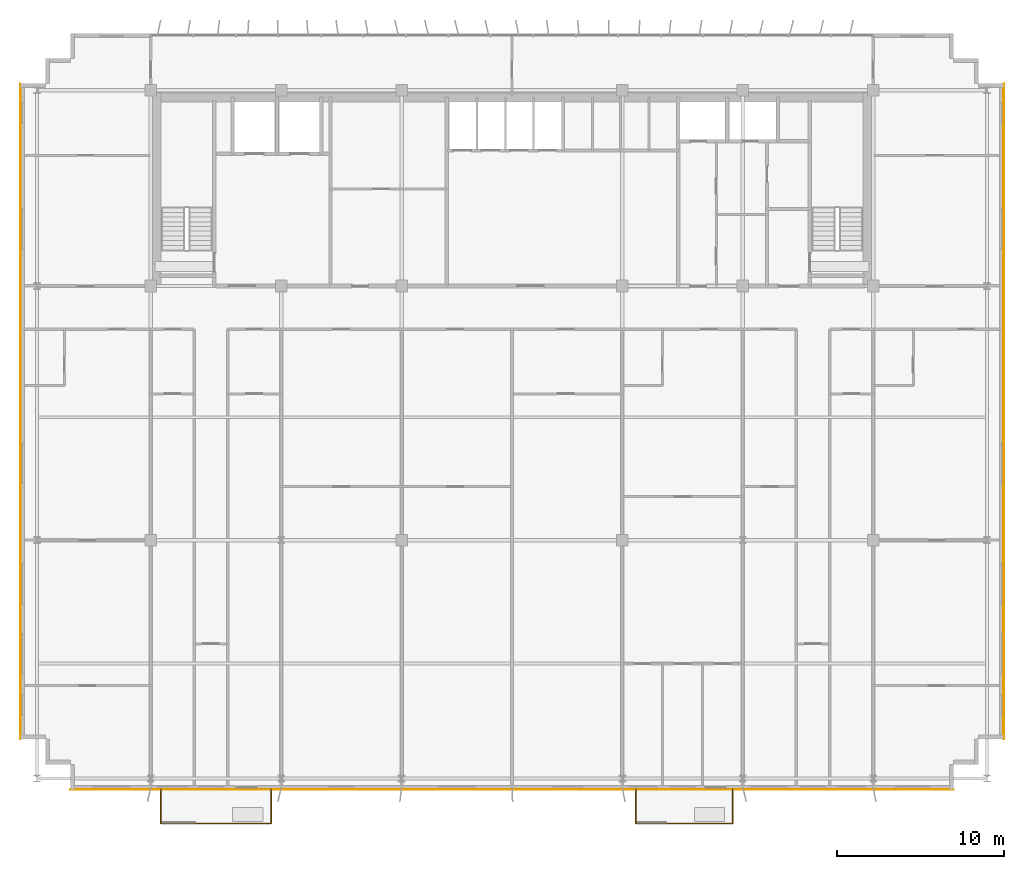
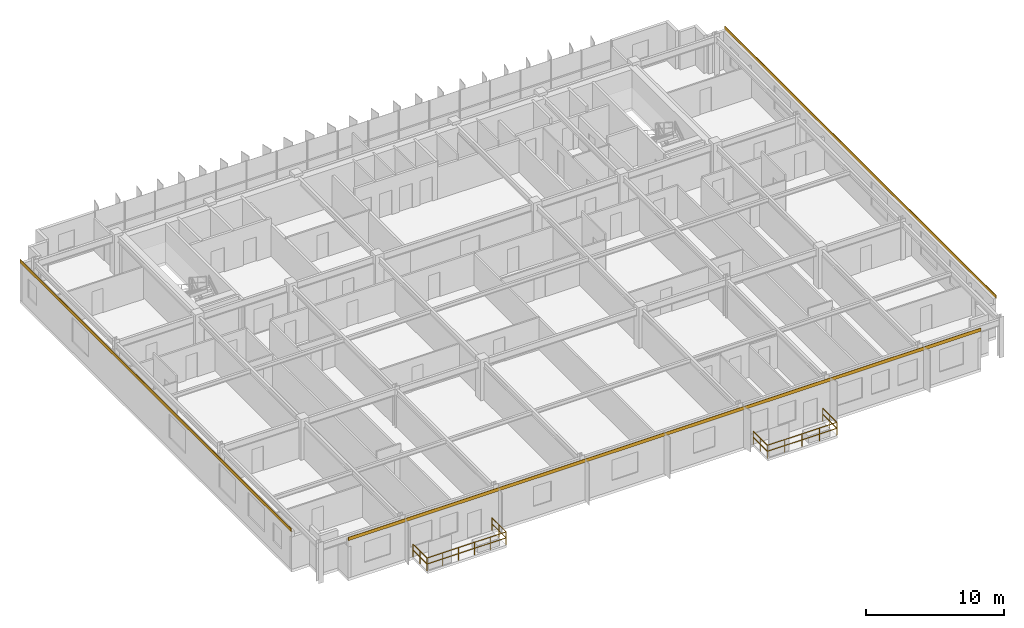
# One storey, part 19 of 20: 6 railings, 3 coverings.
"""IFC4 building model written with IfcOpenShell, lengths in metres."""

from ifc_helpers import new_model, si_unit, direction, frame, origin, origin_2d, place, context, subcontext, project, spatial, rectangle, extrude, source, transform, mapped, material, layer, layer_set, type_object, element, save


model = new_model("IFC4")

# Units and contexts
model_context = context("Model", 3, precision=1e-05, world=origin(), true_north=direction((0.0, 1.0)))
body_context = subcontext(model_context, "Body", "Model", "MODEL_VIEW")
ifc_project = project(units=[si_unit("LENGTHUNIT", "METRE"), si_unit("AREAUNIT", "SQUARE_METRE"), si_unit("VOLUMEUNIT", "CUBIC_METRE"), si_unit("PLANEANGLEUNIT", "RADIAN"), si_unit("MASSUNIT", "GRAM", prefix="KILO")], contexts=[model_context])

# Site, building, storey
site_placement = place(None, origin())
site = spatial("IfcSite", under=ifc_project, at=site_placement, CompositionType="ELEMENT")
building_placement = place(site_placement, origin())
building = spatial("IfcBuilding", under=site, at=building_placement, Name="Trelvane Seafront Commons", CompositionType="ELEMENT")
storey_placement = place(building_placement, frame((0.0, 0.0, 164.5)))
storey = spatial("IfcBuildingStorey", under=building, at=storey_placement, Name="L43", CompositionType="ELEMENT", Elevation=164.5)

# Railings
ifc_material_1 = material(Name="Stainless steel balustrade", Category="steel")
railing_type = type_object("IfcRailingType", Name="ARCH-RAIL-BAL1150", PredefinedType="BALUSTRADE", material=ifc_material_1)
railing_1_placement = place(storey_placement, frame((16.199951171875, 3.300048828125, 0.0)))
element("IfcRailing", 1, at=railing_1_placement, inside=storey, type_object=railing_type, Name="RL-L43-BAL0-01", PredefinedType="BALUSTRADE", context=body_context, shape_type="SweptSolid", body=[
    extrude(rectangle(XDim=0.048095703125, YDim=0.048095703125, at=origin_2d()), frame((0.0, 0.0, 1.1259765625), z_axis=(0.0, -1.0, 0.0), x_axis=(1.0, 0.0, 0.0)), (0.0, 0.0, 1.0), 2.0400390625),
    extrude(rectangle(XDim=0.048095703125, YDim=0.048095703125, at=origin_2d()), frame((0.0, 0.0, 0.597900390625), z_axis=(0.0, -1.0, 0.0), x_axis=(1.0, 0.0, 0.0)), (0.0, 0.0, 1.0), 2.0400390625),
    extrude(rectangle(XDim=0.0419921875, YDim=0.0419921875, at=origin_2d()), origin(), (0.0, 0.0, 1.0), 1.1259765625),
    extrude(rectangle(XDim=0.0419921875, YDim=0.0419921875, at=origin_2d()), frame((0.0, -1.02001953125, 0.0)), (0.0, 0.0, 1.0), 1.1259765625),
    extrude(rectangle(XDim=0.0419921875, YDim=0.0419921875, at=origin_2d()), frame((0.0, -2.0400390625, 0.0)), (0.0, 0.0, 1.0), 1.1259765625),
])
railing_2_placement = place(storey_placement, frame((16.199951171875, 1.260009765625, 0.0)))
element("IfcRailing", 2, at=railing_2_placement, inside=storey, type_object=railing_type, Name="RL-L43-BAL0-02", PredefinedType="BALUSTRADE", context=body_context, shape_type="SweptSolid", body=[
    extrude(rectangle(XDim=0.048095703125, YDim=0.048095703125, at=origin_2d()), frame((0.0, 0.0, 1.1259765625), z_axis=(1.0, 0.0, 0.0), x_axis=(0.0, 1.0, 0.0)), (0.0, 0.0, 1.0), 6.60009765625),
    extrude(rectangle(XDim=0.048095703125, YDim=0.048095703125, at=origin_2d()), frame((0.0, 0.0, 0.597900390625), z_axis=(1.0, 0.0, 0.0), x_axis=(0.0, 1.0, 0.0)), (0.0, 0.0, 1.0), 6.60009765625),
    extrude(rectangle(XDim=0.0419921875, YDim=0.0419921875, at=origin_2d()), origin(), (0.0, 0.0, 1.0), 1.1259765625),
    extrude(rectangle(XDim=0.0419921875, YDim=0.0419921875, at=origin_2d()), frame((1.320068359375, 0.0, 0.0)), (0.0, 0.0, 1.0), 1.1259765625),
    extrude(rectangle(XDim=0.0419921875, YDim=0.0419921875, at=origin_2d()), frame((2.64013671875, 0.0, 0.0)), (0.0, 0.0, 1.0), 1.1259765625),
    extrude(rectangle(XDim=0.0419921875, YDim=0.0419921875, at=origin_2d()), frame((3.9599609375, 0.0, 0.0)), (0.0, 0.0, 1.0), 1.1259765625),
    extrude(rectangle(XDim=0.0419921875, YDim=0.0419921875, at=origin_2d()), frame((5.280029296875, 0.0, 0.0)), (0.0, 0.0, 1.0), 1.1259765625),
    extrude(rectangle(XDim=0.0419921875, YDim=0.0419921875, at=origin_2d()), frame((6.60009765625, 0.0, 0.0)), (0.0, 0.0, 1.0), 1.1259765625),
])
railing_3_placement = place(storey_placement, frame((22.800048828125, 1.260009765625, 0.0)))
element("IfcRailing", 3, at=railing_3_placement, inside=storey, type_object=railing_type, Name="RL-L43-BAL0-03", PredefinedType="BALUSTRADE", context=body_context, shape_type="SweptSolid", body=[
    extrude(rectangle(XDim=0.048095703125, YDim=0.048095703125, at=origin_2d()), frame((0.0, 0.0, 1.1259765625), z_axis=(0.0, 1.0, 0.0), x_axis=(-1.0, 0.0, 0.0)), (0.0, 0.0, 1.0), 2.0400390625),
    extrude(rectangle(XDim=0.048095703125, YDim=0.048095703125, at=origin_2d()), frame((0.0, 0.0, 0.597900390625), z_axis=(0.0, 1.0, 0.0), x_axis=(-1.0, 0.0, 0.0)), (0.0, 0.0, 1.0), 2.0400390625),
    extrude(rectangle(XDim=0.0419921875, YDim=0.0419921875, at=origin_2d()), origin(), (0.0, 0.0, 1.0), 1.1259765625),
    extrude(rectangle(XDim=0.0419921875, YDim=0.0419921875, at=origin_2d()), frame((0.0, 1.02001953125, 0.0)), (0.0, 0.0, 1.0), 1.1259765625),
    extrude(rectangle(XDim=0.0419921875, YDim=0.0419921875, at=origin_2d()), frame((0.0, 2.0400390625, 0.0)), (0.0, 0.0, 1.0), 1.1259765625),
])
railing_4_placement = place(storey_placement, frame((44.60009765625, 3.300048828125, 0.0)))
element("IfcRailing", 4, at=railing_4_placement, inside=storey, type_object=railing_type, Name="RL-L43-BAL1-01", PredefinedType="BALUSTRADE", context=body_context, shape_type="SweptSolid", body=[
    extrude(rectangle(XDim=0.048095703125, YDim=0.048095703125, at=origin_2d()), frame((0.0, 0.0, 1.1259765625), z_axis=(0.0, -1.0, 0.0), x_axis=(1.0, 0.0, 0.0)), (0.0, 0.0, 1.0), 2.0400390625),
    extrude(rectangle(XDim=0.048095703125, YDim=0.048095703125, at=origin_2d()), frame((0.0, 0.0, 0.597900390625), z_axis=(0.0, -1.0, 0.0), x_axis=(1.0, 0.0, 0.0)), (0.0, 0.0, 1.0), 2.0400390625),
    extrude(rectangle(XDim=0.0419921875, YDim=0.0419921875, at=origin_2d()), origin(), (0.0, 0.0, 1.0), 1.1259765625),
    extrude(rectangle(XDim=0.0419921875, YDim=0.0419921875, at=origin_2d()), frame((0.0, -1.02001953125, 0.0)), (0.0, 0.0, 1.0), 1.1259765625),
    extrude(rectangle(XDim=0.0419921875, YDim=0.0419921875, at=origin_2d()), frame((0.0, -2.0400390625, 0.0)), (0.0, 0.0, 1.0), 1.1259765625),
])
railing_5_placement = place(storey_placement, frame((44.60009765625, 1.260009765625, 0.0)))
element("IfcRailing", 5, at=railing_5_placement, inside=storey, type_object=railing_type, Name="RL-L43-BAL1-02", PredefinedType="BALUSTRADE", context=body_context, shape_type="SweptSolid", body=[
    extrude(rectangle(XDim=0.048095703125, YDim=0.048095703125, at=origin_2d()), frame((0.0, 0.0, 1.1259765625), z_axis=(1.0, 0.0, 0.0), x_axis=(0.0, 1.0, 0.0)), (0.0, 0.0, 1.0), 5.7998046875),
    extrude(rectangle(XDim=0.048095703125, YDim=0.048095703125, at=origin_2d()), frame((0.0, 0.0, 0.597900390625), z_axis=(1.0, 0.0, 0.0), x_axis=(0.0, 1.0, 0.0)), (0.0, 0.0, 1.0), 5.7998046875),
    extrude(rectangle(XDim=0.0419921875, YDim=0.0419921875, at=origin_2d()), origin(), (0.0, 0.0, 1.0), 1.1259765625),
    extrude(rectangle(XDim=0.0419921875, YDim=0.0419921875, at=origin_2d()), frame((1.449951171875, 0.0, 0.0)), (0.0, 0.0, 1.0), 1.1259765625),
    extrude(rectangle(XDim=0.0419921875, YDim=0.0419921875, at=origin_2d()), frame((2.89990234375, 0.0, 0.0)), (0.0, 0.0, 1.0), 1.1259765625),
    extrude(rectangle(XDim=0.0419921875, YDim=0.0419921875, at=origin_2d()), frame((4.349853515625, 0.0, 0.0)), (0.0, 0.0, 1.0), 1.1259765625),
    extrude(rectangle(XDim=0.0419921875, YDim=0.0419921875, at=origin_2d()), frame((5.7998046875, 0.0, 0.0)), (0.0, 0.0, 1.0), 1.1259765625),
])
railing_6_placement = place(storey_placement, frame((50.39990234375, 1.260009765625, 0.0)))
element("IfcRailing", 6, at=railing_6_placement, inside=storey, type_object=railing_type, Name="RL-L43-BAL1-03", PredefinedType="BALUSTRADE", context=body_context, shape_type="SweptSolid", body=[
    extrude(rectangle(XDim=0.048095703125, YDim=0.048095703125, at=origin_2d()), frame((0.0, 0.0, 1.1259765625), z_axis=(0.0, 1.0, 0.0), x_axis=(-1.0, 0.0, 0.0)), (0.0, 0.0, 1.0), 2.0400390625),
    extrude(rectangle(XDim=0.048095703125, YDim=0.048095703125, at=origin_2d()), frame((0.0, 0.0, 0.597900390625), z_axis=(0.0, 1.0, 0.0), x_axis=(-1.0, 0.0, 0.0)), (0.0, 0.0, 1.0), 2.0400390625),
    extrude(rectangle(XDim=0.0419921875, YDim=0.0419921875, at=origin_2d()), origin(), (0.0, 0.0, 1.0), 1.1259765625),
    extrude(rectangle(XDim=0.0419921875, YDim=0.0419921875, at=origin_2d()), frame((0.0, 1.02001953125, 0.0)), (0.0, 0.0, 1.0), 1.1259765625),
    extrude(rectangle(XDim=0.0419921875, YDim=0.0419921875, at=origin_2d()), frame((0.0, 2.0400390625, 0.0)), (0.0, 0.0, 1.0), 1.1259765625),
])

# Coverings
ifc_material_2 = material(Name="Anodised pale-silver aluminium", Category="aluminium")
ifc_layer = layer(ifc_material_2, 0.034912109375, Name="ARCH-COV-CLAD35")
ifc_layer_set = layer_set([ifc_layer], Name="Anodised pale-silver aluminium")
covering_type = type_object("IfcCoveringType", Name="ARCH-COV-CLAD35", PredefinedType="CLADDING", material=ifc_layer_set)
shared_shape_1 = source(origin(), body_context, "Body", "SweptSolid", [
    extrude(rectangle(XDim=39.199951171875, YDim=0.034912109375, at=origin_2d()), origin(), (0.0, 0.0, 1.0), 0.2900390625),
])
for number, where, z_axis, x_axis, name in (
    (7, (7.800048828125, 25.89990234375, 3.31005859375), (0.0, 0.0, 1.0), (0.0, 1.0, 0.0), "CLD-L43-00170"),
    (8, (66.60009765625, 25.89990234375, 3.31005859375), (0.0, 0.0, 1.0), (0.0, -1.0, 0.0), "CLD-L43-00171"),
):
    element("IfcCovering", number, at=place(storey_placement, frame(where, z_axis=z_axis, x_axis=x_axis)), inside=storey, type_object=covering_type, Name=name, PredefinedType="CLADDING", context=body_context, shape_type="MappedRepresentation", body=[
        mapped(shared_shape_1, transform((0.0, 0.0, 0.0), x_axis=(1.0, 0.0, 0.0), y_axis=(0.0, 1.0, 0.0), z_axis=(0.0, 0.0, 1.0), scale=1.0)),
    ])
shared_shape_2 = source(origin(), body_context, "Body", "SweptSolid", [
    extrude(rectangle(XDim=52.800048828125, YDim=0.034912109375, at=origin_2d()), origin(), (0.0, 0.0, 1.0), 0.2900390625),
])
covering_placement = place(storey_placement, frame((37.199951171875, 3.300048828125, 3.31005859375), z_axis=(0.0, 0.0, 1.0), x_axis=(-1.0, 0.0, 0.0)))
element("IfcCovering", 9, at=covering_placement, inside=storey, type_object=covering_type, Name="CLD-L43-00172", PredefinedType="CLADDING", context=body_context, shape_type="MappedRepresentation", body=[
    mapped(shared_shape_2, transform((0.0, 0.0, 0.0), x_axis=(1.0, 0.0, 0.0), y_axis=(0.0, 1.0, 0.0), z_axis=(0.0, 0.0, 1.0), scale=1.0)),
])

save(model, "model.ifc")
